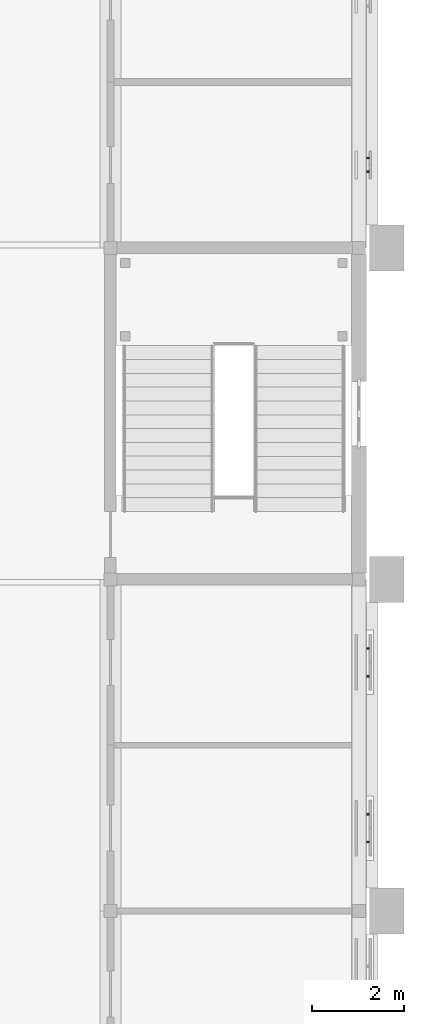
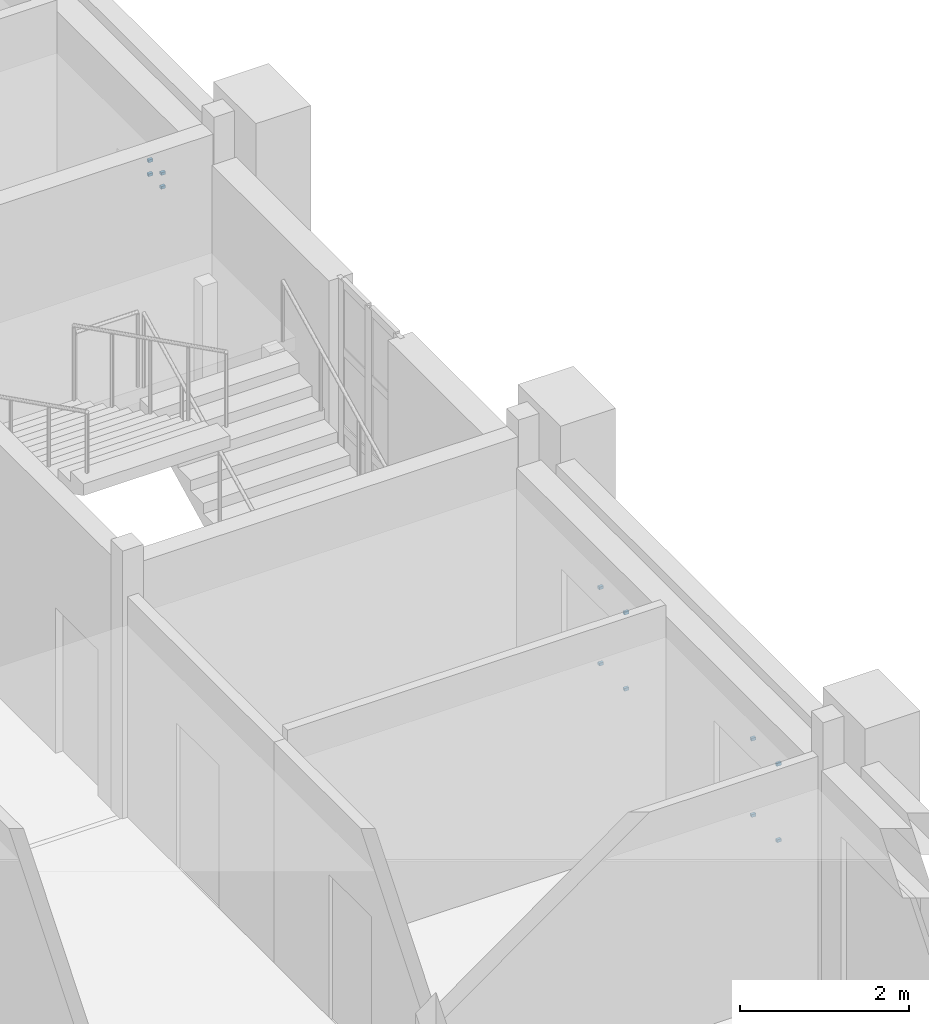
# One storey, part 53 of 69: 12 discrete accessories.
"""IFC4 building model written with IfcOpenShell, lengths in metres."""

from ifc_helpers import new_model, si_unit, direction, frame, origin, origin_2d, place, context, subcontext, project, spatial, rectangle, extrude, material, type_object, element, save


model = new_model("IFC4")

# Units and contexts
model_context = context("Model", 3, precision=1e-05, world=origin(), true_north=direction((0.0, 1.0)))
body_context = subcontext(model_context, "Body", "Model", "MODEL_VIEW")
ifc_project = project(units=[si_unit("LENGTHUNIT", "METRE"), si_unit("AREAUNIT", "SQUARE_METRE"), si_unit("VOLUMEUNIT", "CUBIC_METRE"), si_unit("PLANEANGLEUNIT", "RADIAN"), si_unit("MASSUNIT", "GRAM", prefix="KILO")], contexts=[model_context])

# Site, building, storey
site_placement = place(None, origin())
site = spatial("IfcSite", under=ifc_project, at=site_placement, CompositionType="ELEMENT")
building_placement = place(site_placement, origin())
building = spatial("IfcBuilding", under=site, at=building_placement, Name="Mazhai Court Health Centre", CompositionType="ELEMENT")
storey_placement = place(building_placement, frame((0.0, 0.0, 6.300048828125)))
storey = spatial("IfcBuildingStorey", under=building, at=storey_placement, Name="L01", CompositionType="ELEMENT", Elevation=6.300048828125)

# Discrete accessories
ifc_material = material(Name="Steel IS 2062 E250", Category="steel")
discrete_accessory_type = type_object("IfcDiscreteAccessoryType", Name="BRACKET 40", PredefinedType="BRACKET", material=ifc_material)
for number, where, z_axis, x_axis, name in (
    (1, (150.39501953125, 22.10009765625, 1.079833984375), (0.0, 0.0, 1.0), (0.0, 1.0, 0.0), "BR-V6-L01-B20a0"),
    (2, (150.39501953125, 22.10009765625, 2.179931640625), (0.0, 0.0, 1.0), (0.0, 1.0, 0.0), "BR-V6-L01-B20a1"),
    (3, (150.39501953125, 22.699951171875, 1.079833984375), (0.0, 0.0, 1.0), (0.0, 1.0, 0.0), "BR-V6-L01-B20b0"),
    (4, (150.39501953125, 22.699951171875, 2.179931640625), (0.0, 0.0, 1.0), (0.0, 1.0, 0.0), "BR-V6-L01-B20b1"),
    (5, (150.39501953125, 25.699951171875, 1.079833984375), (0.0, 0.0, 1.0), (0.0, 1.0, 0.0), "BR-V6-L01-B21a0"),
    (6, (150.39501953125, 25.699951171875, 2.179931640625), (0.0, 0.0, 1.0), (0.0, 1.0, 0.0), "BR-V6-L01-B21a1"),
    (7, (150.39501953125, 26.300048828125, 1.079833984375), (0.0, 0.0, 1.0), (0.0, 1.0, 0.0), "BR-V6-L01-B21b0"),
    (8, (150.39501953125, 26.300048828125, 2.179931640625), (0.0, 0.0, 1.0), (0.0, 1.0, 0.0), "BR-V6-L01-B21b1"),
    (9, (150.39501953125, 36.64990234375, 1.679931640625), (0.0, 0.0, 1.0), (0.0, 1.0, 0.0), "BR-V6-L01-B40a0"),
    (10, (150.39501953125, 36.64990234375, 1.8798828125), (0.0, 0.0, 1.0), (0.0, 1.0, 0.0), "BR-V6-L01-B40a1"),
    (11, (150.39501953125, 36.949951171875, 1.679931640625), (0.0, 0.0, 1.0), (0.0, 1.0, 0.0), "BR-V6-L01-B40b0"),
    (12, (150.39501953125, 36.949951171875, 1.8798828125), (0.0, 0.0, 1.0), (0.0, 1.0, 0.0), "BR-V6-L01-B40b1"),
):
    element("IfcDiscreteAccessory", number, at=place(storey_placement, frame(where, z_axis=z_axis, x_axis=x_axis)), inside=storey, type_object=discrete_accessory_type, Name=name, PredefinedType="BRACKET", context=body_context, shape_type="SweptSolid", body=[
        extrude(rectangle(XDim=0.0400390625, YDim=0.06005859375, at=origin_2d()), origin(), (0.0, 0.0, 1.0), 0.0400390625),
    ])

save(model, "model.ifc")
